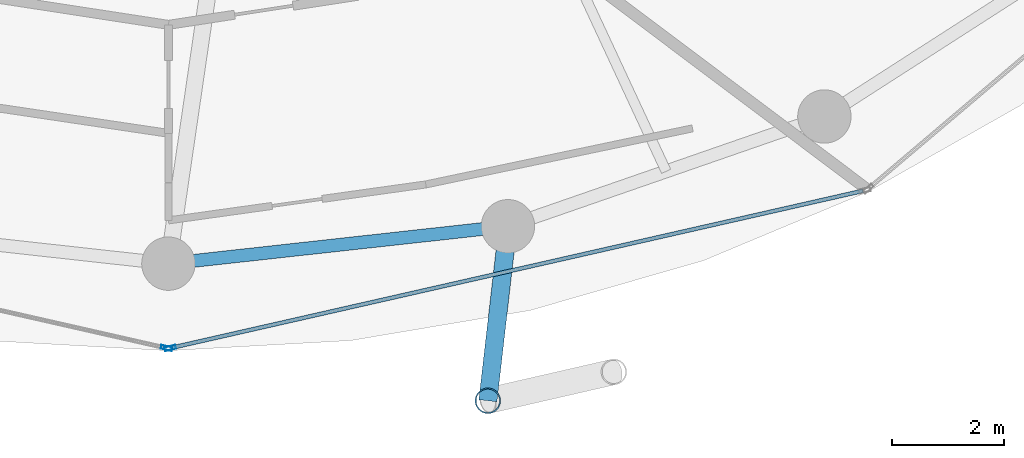
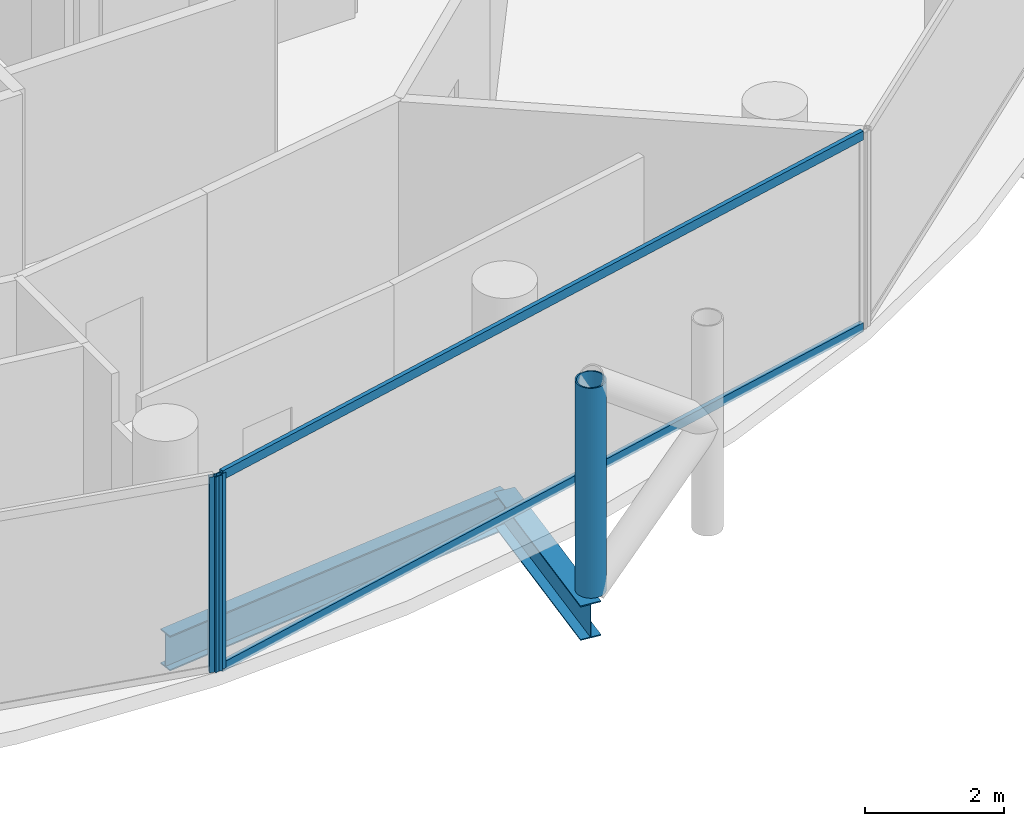
# One storey, part 4 of 26: 5 members, 2 beams, 2 elements without a shape of their own.
"""IFC4 building model written with IfcOpenShell, lengths in metres."""

from ifc_helpers import new_model, si_unit, direction, frame, origin, origin_2d, place, context, subcontext, project, spatial, hollow_rectangle, hollow_circle, i_section, extrude, material, layer, layer_set, material_profile, profile_set, type_object, element, aggregate, save


model = new_model("IFC4")

# Units and contexts
model_context = context("Model", 3, precision=1e-05, world=origin(), true_north=direction((0.0, 1.0)))
body_context = subcontext(model_context, "Body", "Model", "MODEL_VIEW")
ifc_project = project(units=[si_unit("LENGTHUNIT", "METRE"), si_unit("AREAUNIT", "SQUARE_METRE"), si_unit("VOLUMEUNIT", "CUBIC_METRE"), si_unit("PLANEANGLEUNIT", "RADIAN"), si_unit("MASSUNIT", "GRAM", prefix="KILO")], contexts=[model_context])

# Site, building, storey
site_placement = place(None, origin())
site = spatial("IfcSite", under=ifc_project, at=site_placement, CompositionType="ELEMENT")
building_placement = place(site_placement, origin())
building = spatial("IfcBuilding", under=site, at=building_placement, Name="Nuhasar Tower", CompositionType="ELEMENT")
storey_placement = place(building_placement, frame((0.0, 0.0, 129.35009765625)))
storey = spatial("IfcBuildingStorey", under=building, at=storey_placement, Name="L30", CompositionType="ELEMENT", Elevation=129.35009765625)

# Beams
ifc_material_1 = material(Name="Steel S355", Category="steel")
ifc_material_profile_1 = material_profile(ifc_material_1, i_section(OverallWidth=0.22998046875, OverallDepth=0.616943359375, WebThickness=0.01318359375, FlangeThickness=0.022216796875, at=origin_2d()), Name="W24X94")
ifc_profile_set_1 = profile_set([ifc_material_profile_1], Name="Steel S355")
beam_type_1 = type_object("IfcBeamType", Name="BM-RING-W24X94", PredefinedType="SPANDREL", material=ifc_profile_set_1)
beam_1_placement = place(storey_placement, frame((39.0, 7.25, -0.55908203125), z_axis=(0.993981289157, 0.109549974015, 0.0), x_axis=(-0.109549974015, 0.993981289157, 0.0)))
element("IfcBeam", 1, at=beam_1_placement, inside=storey, type_object=beam_type_1, Name="L30 Perimeter Ring Spandrel 19", PredefinedType="SPANDREL", context=body_context, shape_type="SweptSolid", body=[
    extrude(i_section(OverallWidth=0.22998046875, OverallDepth=0.616943359375, WebThickness=0.01318359375, FlangeThickness=0.022216796875, at=origin_2d()), origin(), (0.0, 0.0, 1.0), 6.07958984375),
])
ifc_material_profile_2 = material_profile(ifc_material_1, i_section(OverallWidth=0.323974609375, OverallDepth=0.611083984375, WebThickness=0.0126953125, FlangeThickness=0.01904296875, at=origin_2d()), Name="W24X104")
ifc_profile_set_2 = profile_set([ifc_material_profile_2], Name="Steel S355")
beam_type_2 = type_object("IfcBeamType", Name="BM-TIE-W24X104", PredefinedType="BEAM", material=ifc_profile_set_2)
beam_2_placement = place(storey_placement, frame((45.04296875, 7.916015625, -0.55615234375), z_axis=(-0.114167639647, -0.993461499031, 0.0), x_axis=(0.993461499031, -0.114167639647, 0.0)))
element("IfcBeam", 2, at=beam_2_placement, inside=storey, type_object=beam_type_2, Name="L30 Exoskeleton Node Tie Beam 10", PredefinedType="BEAM", context=body_context, shape_type="SweptSolid", body=[
    extrude(i_section(OverallWidth=0.323974609375, OverallDepth=0.611083984375, WebThickness=0.0126953125, FlangeThickness=0.01904296875, at=origin_2d()), origin(), (0.0, 0.0, 1.0), 3.12646484375),
])

# Curtain wall, member
ifc_material_2 = material(Name="Aluminium 6063-T6", Category="aluminium")
ifc_layer = layer(ifc_material_2, 0.199951171875)
ifc_layer_set = layer_set([ifc_layer], Name="Aluminium 6063-T6")
curtain_wall_type = type_object("IfcCurtainWallType", Name="CW-Z2-HTL", PredefinedType="NOTDEFINED", material=ifc_layer_set)
curtain_wall_1_placement = place(storey_placement, origin())
curtain_wall_1 = element("IfcCurtainWall", 3, at=curtain_wall_1_placement, inside=storey, type_object=curtain_wall_type, Name="L30 Unitised Curtain Wall 09", PredefinedType="NOTDEFINED")
ifc_material_profile_3 = material_profile(ifc_material_2, hollow_rectangle(XDim=0.070068359375, YDim=0.199951171875, WallThickness=0.0048828125, at=origin_2d()), Name="CWM-3")
ifc_profile_set_3 = profile_set([ifc_material_profile_3], Name="Aluminium 6063-T6")
member_type_1 = type_object("IfcMemberType", Name="CW-MUL-S3", PredefinedType="MULLION", material=ifc_profile_set_3)
member_1_placement = place(storey_placement, frame((38.9658203125, 5.747802734375, 0.0), z_axis=(0.0, 0.0, 1.0), x_axis=(0.22139729566, 0.975183694221, 0.0)))
member_1 = element("IfcMember", 4, at=member_1_placement, type_object=member_type_1, Name="CW-Z2 mullion 2", PredefinedType="MULLION", context=body_context, shape_type="SweptSolid", body=[
    extrude(hollow_rectangle(XDim=0.070068359375, YDim=0.199951171875, WallThickness=0.0048828125, at=origin_2d()), origin(), (0.0, 0.0, 1.0), 3.449951171875),
])
aggregate(curtain_wall_1, [member_1])

# Curtain wall, members
curtain_wall_2_placement = place(storey_placement, origin())
curtain_wall_2 = element("IfcCurtainWall", 5, at=curtain_wall_2_placement, inside=storey, type_object=curtain_wall_type, Name="L30 Unitised Curtain Wall 10", PredefinedType="NOTDEFINED")
member_2_placement = place(storey_placement, frame((39.0341796875, 5.747802734375, 0.0), z_axis=(0.0, 0.0, 1.0), x_axis=(-0.22139729566, 0.975183694221, 0.0)))
member_2 = element("IfcMember", 6, at=member_2_placement, type_object=member_type_1, Name="CW-Z2 mullion 1", PredefinedType="MULLION", context=body_context, shape_type="SweptSolid", body=[
    extrude(hollow_rectangle(XDim=0.070068359375, YDim=0.199951171875, WallThickness=0.0048828125, at=origin_2d()), origin(), (0.0, 0.0, 1.0), 3.449951171875),
])
ifc_material_profile_4 = material_profile(ifc_material_2, hollow_rectangle(XDim=0.070068359375, YDim=0.159912109375, WallThickness=0.00439453125, at=origin_2d()), Name="CWT-3")
ifc_profile_set_4 = profile_set([ifc_material_profile_4], Name="Aluminium 6063-T6")
member_type_2 = type_object("IfcMemberType", Name="CW-TRN-S3", PredefinedType="USERDEFINED", material=ifc_profile_set_4)
member_3_placement = place(storey_placement, frame((39.068359375, 5.755615234375, 0.034912109375), z_axis=(0.975187615691, 0.221380022142, 0.0), x_axis=(-0.221380022142, 0.975187615691, 0.0)))
member_3 = element("IfcMember", 7, at=member_3_placement, type_object=member_type_2, Name="CW-Z2 transom 1.1", ObjectType="TRANSOM", PredefinedType="USERDEFINED", context=body_context, shape_type="SweptSolid", body=[
    extrude(hollow_rectangle(XDim=0.070068359375, YDim=0.159912109375, WallThickness=0.00439453125, at=origin_2d()), origin(), (0.0, 0.0, 1.0), 12.606201171875),
])
member_4_placement = place(storey_placement, frame((39.068359375, 5.755615234375, 3.414794921875), z_axis=(0.975187615691, 0.221380022142, 0.0), x_axis=(-0.221380022142, 0.975187615691, 0.0)))
member_4 = element("IfcMember", 8, at=member_4_placement, type_object=member_type_2, Name="CW-Z2 transom 1.2", ObjectType="TRANSOM", PredefinedType="USERDEFINED", context=body_context, shape_type="SweptSolid", body=[
    extrude(hollow_rectangle(XDim=0.070068359375, YDim=0.159912109375, WallThickness=0.00439453125, at=origin_2d()), origin(), (0.0, 0.0, 1.0), 12.606201171875),
])
aggregate(curtain_wall_2, [member_2, member_3, member_4])

# Member
ifc_material_3 = material(Name="Steel S460", Category="steel")
ifc_material_profile_5 = material_profile(ifc_material_3, hollow_circle(Radius=0.228515625, WallThickness=0.022216796875, at=origin_2d()), Name="HSS457X22.2")
ifc_profile_set_5 = profile_set([ifc_material_profile_5], Name="Steel S460")
member_type_3 = type_object("IfcMemberType", Name="EXO-BRONZE-457", PredefinedType="BRACE", material=ifc_profile_set_5)
member_5_placement = place(storey_placement, frame((44.68603515625, 4.81005859375, 0.0), z_axis=(0.0, 0.0, 1.0), x_axis=(1.0, 0.0, 0.0)))
element("IfcMember", 9, at=member_5_placement, inside=storey, type_object=member_type_3, Name="L30 Exoskeleton Chord Column EC-10A", PredefinedType="BRACE", context=body_context, shape_type="SweptSolid", body=[
    extrude(hollow_circle(Radius=0.228515625, WallThickness=0.022216796875, at=origin_2d()), origin(), (0.0, 0.0, 1.0), 3.699951171875),
])

save(model, "model.ifc")
